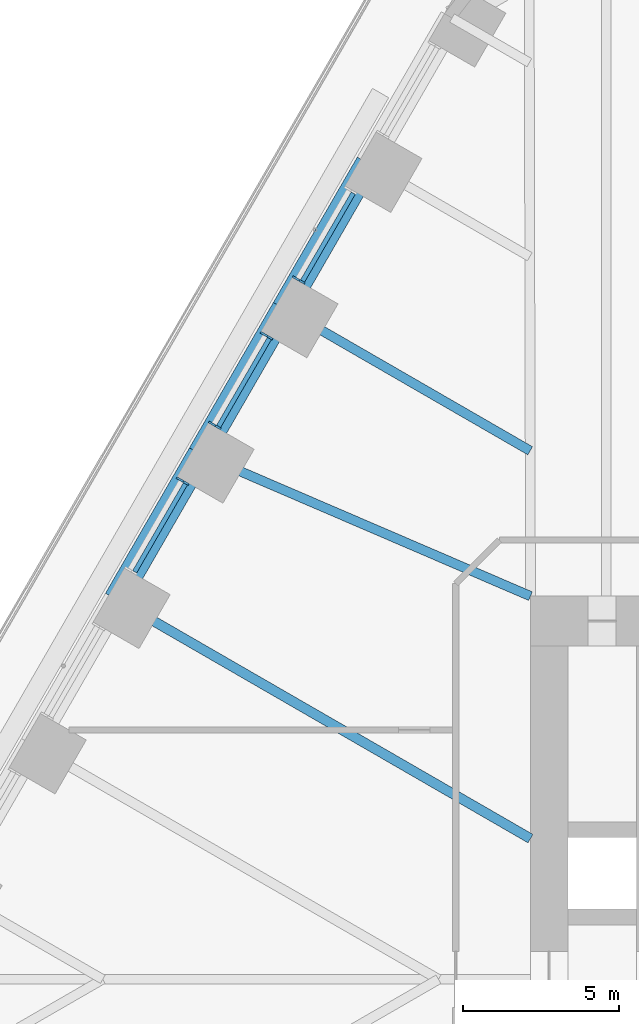
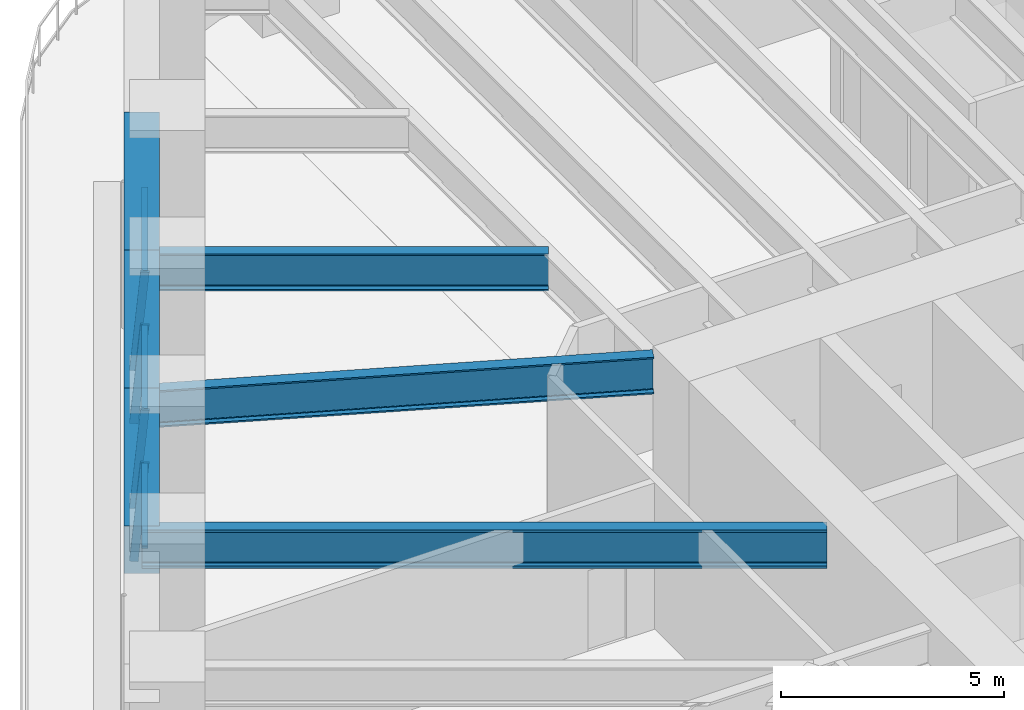
# One storey, part 8 of 24: 7 members, 6 beams, 3 elements without a shape of their own.
"""IFC4 building model written with IfcOpenShell, lengths in metres."""

from ifc_helpers import new_model, si_unit, direction, frame, origin, origin_2d, place, context, subcontext, project, spatial, rectangle, i_section, extrude, material, material_profile, profile_set, type_object, element, aggregate, save


model = new_model("IFC4")

# Units and contexts
model_context = context("Model", 3, precision=1e-05, world=origin(), true_north=direction((0.0, 1.0)))
body_context = subcontext(model_context, "Body", "Model", "MODEL_VIEW")
ifc_project = project(units=[si_unit("LENGTHUNIT", "METRE"), si_unit("AREAUNIT", "SQUARE_METRE"), si_unit("VOLUMEUNIT", "CUBIC_METRE"), si_unit("PLANEANGLEUNIT", "RADIAN"), si_unit("MASSUNIT", "GRAM", prefix="KILO")], contexts=[model_context])

# Site, building, storey
site_placement = place(None, origin())
site = spatial("IfcSite", under=ifc_project, at=site_placement, CompositionType="ELEMENT")
building_placement = place(site_placement, origin())
building = spatial("IfcBuilding", under=site, at=building_placement, Name="Tarfa Lantern Tower", CompositionType="ELEMENT")
storey_placement = place(building_placement, frame((0.0, 0.0, 69.699951171875)))
storey = spatial("IfcBuildingStorey", under=building, at=storey_placement, Name="L15", CompositionType="ELEMENT", Elevation=69.699951171875)

# Curtain wall, member
ifc_material_1 = material(Name="Aluminium framed curtain wall", Category="aluminium")
curtain_wall_type = type_object("IfcCurtainWallType", Name="CW1 CANTED GLAZING LOW ZONE 2700", PredefinedType="USERDEFINED", material=ifc_material_1)
curtain_wall_1_placement = place(storey_placement, origin())
curtain_wall_1 = element("IfcCurtainWall", 1, at=curtain_wall_1_placement, inside=storey, type_object=curtain_wall_type, Name="CW1 NW L15", ObjectType="CURTAIN WALL", PredefinedType="USERDEFINED")
ifc_material_2 = material(Name="Aluminium mullion", Category="aluminium")
ifc_material_profile_1 = material_profile(ifc_material_2, rectangle(XDim=0.06494140625, YDim=0.199951171875, at=origin_2d()), Name="AL MULLION 65x200")
ifc_profile_set_1 = profile_set([ifc_material_profile_1], Name="Aluminium mullion")
member_type_1 = type_object("IfcMemberType", Name="CWM1 MULLION 65x200", PredefinedType="MULLION", material=ifc_profile_set_1)
member_1_placement = place(storey_placement, frame((-26.147705078125, 22.5107421875, 0.0), z_axis=(0.07986442134, -0.046099868913, 0.99573916077), x_axis=(0.499919672301, 0.866071776036, 0.0)))
member_1 = element("IfcMember", 2, at=member_1_placement, type_object=member_type_1, Name="CW1 mullion 2", PredefinedType="MULLION", context=body_context, shape_type="SweptSolid", body=[
    extrude(rectangle(XDim=0.06494140625, YDim=0.199951171875, at=origin_2d()), origin(), (0.0, 0.0, 1.0), 2.71142578125),
])

# Curtain wall, members
curtain_wall_2_placement = place(storey_placement, origin())
curtain_wall_2 = element("IfcCurtainWall", 3, at=curtain_wall_2_placement, inside=storey, type_object=curtain_wall_type, Name="CW1 NW L15", ObjectType="CURTAIN WALL", PredefinedType="USERDEFINED")
member_2_placement = place(storey_placement, frame((-27.18017578125, 20.722412109375, 0.0), z_axis=(0.07986442134, -0.046099868913, 0.99573916077), x_axis=(0.499919672301, 0.866071776036, 0.0)))
member_2 = element("IfcMember", 4, at=member_2_placement, type_object=member_type_1, Name="CW1 mullion 1", PredefinedType="MULLION", context=body_context, shape_type="SweptSolid", body=[
    extrude(rectangle(XDim=0.06494140625, YDim=0.199951171875, at=origin_2d()), origin(), (0.0, 0.0, 1.0), 2.71142578125),
])
member_3_placement = place(storey_placement, frame((-28.842041015625, 17.84423828125, 0.0), z_axis=(0.07986442134, -0.046099868913, 0.99573916077), x_axis=(0.499919672301, 0.866071776036, 0.0)))
member_3 = element("IfcMember", 5, at=member_3_placement, type_object=member_type_1, Name="CW1 mullion 2", PredefinedType="MULLION", context=body_context, shape_type="SweptSolid", body=[
    extrude(rectangle(XDim=0.06494140625, YDim=0.199951171875, at=origin_2d()), origin(), (0.0, 0.0, 1.0), 2.71142578125),
])

# Curtain wall, member
curtain_wall_3_placement = place(storey_placement, origin())
curtain_wall_3 = element("IfcCurtainWall", 6, at=curtain_wall_3_placement, inside=storey, type_object=curtain_wall_type, Name="CW1 NW L15", ObjectType="CURTAIN WALL", PredefinedType="USERDEFINED")
member_4_placement = place(storey_placement, frame((-29.87451171875, 16.055908203125, 0.0), z_axis=(0.07986442134, -0.046099868913, 0.99573916077), x_axis=(0.499919672301, 0.866071776036, 0.0)))
member_4 = element("IfcMember", 7, at=member_4_placement, type_object=member_type_1, Name="CW1 mullion 1", PredefinedType="MULLION", context=body_context, shape_type="SweptSolid", body=[
    extrude(rectangle(XDim=0.06494140625, YDim=0.199951171875, at=origin_2d()), origin(), (0.0, 0.0, 1.0), 2.71142578125),
])

# Member
ifc_material_3 = material(Name="Aluminium transom", Category="aluminium")
ifc_material_profile_2 = material_profile(ifc_material_3, rectangle(XDim=0.14990234375, YDim=0.06494140625, at=origin_2d()), Name="AL TRANSOM 150x65")
ifc_profile_set_2 = profile_set([ifc_material_profile_2], Name="Aluminium transom")
member_type_2 = type_object("IfcMemberType", Name="CWT1 TRANSOM 150x65", PredefinedType="USERDEFINED", material=ifc_profile_set_2)
member_5_placement = place(storey_placement, frame((-24.288330078125, 25.237548828125, 2.66748046875), z_axis=(-0.499966746847, -0.86604460165, 0.0), x_axis=(0.86604460165, -0.499966746847, 0.0)))
member_5 = element("IfcMember", 8, at=member_5_placement, type_object=member_type_2, Name="CW1 transom 1.2", ObjectType="TRANSOM", PredefinedType="USERDEFINED", context=body_context, shape_type="SweptSolid", body=[
    extrude(rectangle(XDim=0.14990234375, YDim=0.06494140625, at=origin_2d()), origin(), (0.0, 0.0, 1.0), 3.258544921875),
])

aggregate(curtain_wall_1, [member_1, member_5])

member_6_placement = place(storey_placement, frame((-26.982666015625, 20.57080078125, 2.66748046875), z_axis=(-0.499966746847, -0.86604460165, 0.0), x_axis=(0.86604460165, -0.499966746847, 0.0)))
member_6 = element("IfcMember", 9, at=member_6_placement, type_object=member_type_2, Name="CW1 transom 1.2", ObjectType="TRANSOM", PredefinedType="USERDEFINED", context=body_context, shape_type="SweptSolid", body=[
    extrude(rectangle(XDim=0.14990234375, YDim=0.06494140625, at=origin_2d()), origin(), (0.0, 0.0, 1.0), 3.258544921875),
])

aggregate(curtain_wall_2, [member_2, member_3, member_6])

member_7_placement = place(storey_placement, frame((-29.6767578125, 15.904296875, 2.66748046875), z_axis=(-0.500022939057, -0.866012159509, 0.0), x_axis=(0.866012159509, -0.500022939057, 0.0)))
member_7 = element("IfcMember", 10, at=member_7_placement, type_object=member_type_2, Name="CW1 transom 1.2", ObjectType="TRANSOM", PredefinedType="USERDEFINED", context=body_context, shape_type="SweptSolid", body=[
    extrude(rectangle(XDim=0.14990234375, YDim=0.06494140625, at=origin_2d()), origin(), (0.0, 0.0, 1.0), 3.258544921875),
])

aggregate(curtain_wall_3, [member_4, member_7])

# Beams
ifc_material_4 = material(Name="Concrete C80/95", Category="concrete")
ifc_material_profile_3 = material_profile(ifc_material_4, rectangle(XDim=0.800048828125, YDim=1.300048828125, at=origin_2d()), Name="RC 800x1300")
ifc_profile_set_3 = profile_set([ifc_material_profile_3], Name="Concrete C80/95")
beam_type_1 = type_object("IfcBeamType", Name="EB1 RC 800x1300", PredefinedType="SPANDREL", material=ifc_profile_set_3)
beam_1_placement = place(storey_placement, frame((-23.813720703125, 26.193359375, 3.35009765625), z_axis=(-0.499998287579, -0.866026392449, 0.0), x_axis=(0.866026392449, -0.499998287579, 0.0)))
element("IfcBeam", 11, at=beam_1_placement, inside=storey, type_object=beam_type_1, Name="Edge beam NW1", PredefinedType="SPANDREL", context=body_context, shape_type="SweptSolid", body=[
    extrude(rectangle(XDim=0.800048828125, YDim=1.300048828125, at=origin_2d()), origin(), (0.0, 0.0, 1.0), 5.388671875),
])
beam_2_placement = place(storey_placement, frame((-26.508056640625, 21.526611328125, 3.35009765625), z_axis=(-0.500017906299, -0.866015065331, 0.0), x_axis=(0.866015065331, -0.500017906299, 0.0)))
element("IfcBeam", 12, at=beam_2_placement, inside=storey, type_object=beam_type_1, Name="Edge beam NW2", PredefinedType="SPANDREL", context=body_context, shape_type="SweptSolid", body=[
    extrude(rectangle(XDim=0.800048828125, YDim=1.300048828125, at=origin_2d()), origin(), (0.0, 0.0, 1.0), 5.388427734375),
])
beam_3_placement = place(storey_placement, frame((-29.202392578125, 16.860107421875, 3.35009765625), z_axis=(-0.499998287579, -0.866026392449, 0.0), x_axis=(0.866026392449, -0.499998287579, 0.0)))
element("IfcBeam", 13, at=beam_3_placement, inside=storey, type_object=beam_type_1, Name="Edge beam NW3", PredefinedType="SPANDREL", context=body_context, shape_type="SweptSolid", body=[
    extrude(rectangle(XDim=0.800048828125, YDim=1.300048828125, at=origin_2d()), origin(), (0.0, 0.0, 1.0), 5.388671875),
])
ifc_material_5 = material(Name="Steel S460M", Category="steel")
ifc_material_profile_4 = material_profile(ifc_material_5, i_section(OverallWidth=0.302001953125, OverallDepth=1.008056640625, WebThickness=0.02099609375, FlangeThickness=0.0400390625, FilletRadius=0.030029296875, at=origin_2d()), Name="UB1016x305x349")
ifc_profile_set_4 = profile_set([ifc_material_profile_4], Name="Steel S460M")
beam_type_2 = type_object("IfcBeamType", Name="UB1016x305x349", PredefinedType="BEAM", material=ifc_profile_set_4)
beam_4_placement = place(storey_placement, frame((-26.508056640625, 21.526611328125, 3.49609375), z_axis=(0.866035355799, -0.49998276221, 0.0), x_axis=(0.49998276221, 0.866035355799, 0.0)))
element("IfcBeam", 14, at=beam_4_placement, inside=storey, type_object=beam_type_2, Name="Floor beam NW2", PredefinedType="BEAM", context=body_context, shape_type="SweptSolid", body=[
    extrude(i_section(OverallWidth=0.302001953125, OverallDepth=1.008056640625, WebThickness=0.02099609375, FlangeThickness=0.0400390625, FilletRadius=0.030029296875, at=origin_2d()), origin(), (0.0, 0.0, 1.0), 9.119873046875),
])
beam_5_placement = place(storey_placement, frame((-29.202392578125, 16.860107421875, 3.49609375), z_axis=(0.918635483867, -0.395106122175, 0.0), x_axis=(0.395106122175, 0.918635483867, 0.0)))
element("IfcBeam", 15, at=beam_5_placement, inside=storey, type_object=beam_type_2, Name="Floor beam NW3", PredefinedType="BEAM", context=body_context, shape_type="SweptSolid", body=[
    extrude(i_section(OverallWidth=0.302001953125, OverallDepth=1.008056640625, WebThickness=0.02099609375, FlangeThickness=0.0400390625, FilletRadius=0.030029296875, at=origin_2d()), origin(), (0.0, 0.0, 1.0), 11.541259765625),
])
ifc_material_profile_5 = material_profile(ifc_material_5, i_section(OverallWidth=0.314208984375, OverallDepth=1.055908203125, WebThickness=0.035888671875, FlangeThickness=0.06396484375, FilletRadius=0.030029296875, at=origin_2d()), Name="UB1016x305x584")
ifc_profile_set_5 = profile_set([ifc_material_profile_5], Name="Steel S460M")
beam_type_3 = type_object("IfcBeamType", Name="UB1016x305x584", PredefinedType="BEAM", material=ifc_profile_set_5)
beam_6_placement = place(storey_placement, frame((-31.896728515625, 12.193359375, 3.47216796875), z_axis=(0.866026971665, -0.499997284341, 0.0), x_axis=(0.499997284341, 0.866026971665, 0.0)))
element("IfcBeam", 16, at=beam_6_placement, inside=storey, type_object=beam_type_3, Name="Floor beam NW4", PredefinedType="BEAM", context=body_context, shape_type="SweptSolid", body=[
    extrude(i_section(OverallWidth=0.314208984375, OverallDepth=1.055908203125, WebThickness=0.035888671875, FlangeThickness=0.06396484375, FilletRadius=0.030029296875, at=origin_2d()), origin(), (0.0, 0.0, 1.0), 15.353515625),
])

save(model, "model.ifc")
